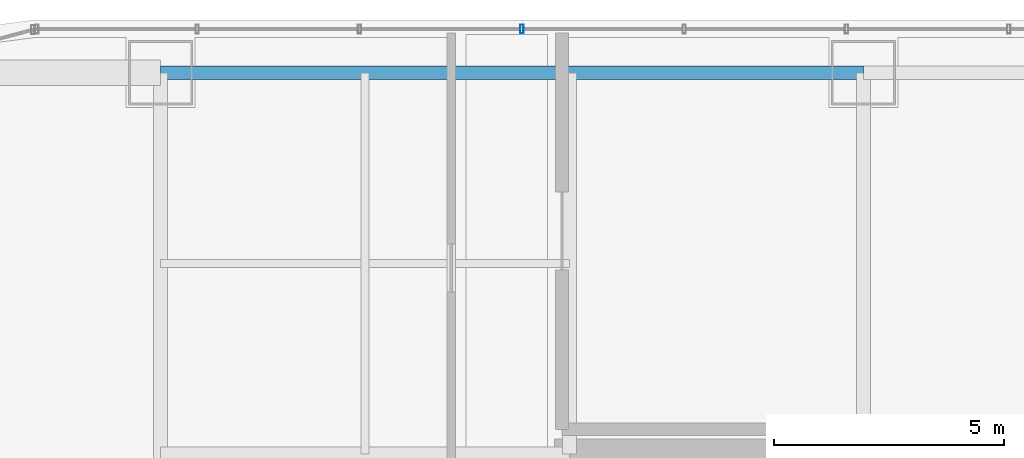
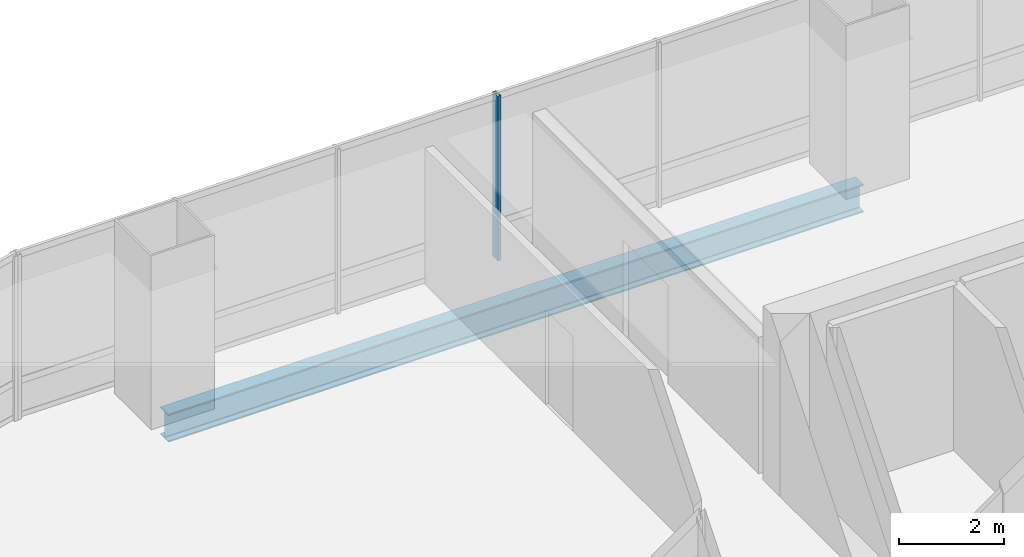
# One storey, part 21 of 36: 1 beam, 1 member, 1 element without a shape of its own.
"""IFC4 building model written with IfcOpenShell, lengths in metres."""

import ifcopenshell
import ifcopenshell.guid

model = None  # the IFC model being written
_history = None  # IfcOwnerHistory: only IFC2X3 demands one
_inside = {}  # id of a spatial element -> (the spatial element, [elements in it])
_under = {}  # id of a project, library or spatial element -> (it, [spatial elements below it])
_declared = {}  # id of a project -> (the project, [libraries it declares])
_typed = {}  # id of a type object -> (the type object, [elements of that type])
_made_of = {}  # id of a material, layer set ... -> (it, [elements and type objects made of it])


def new_model(schema):
    """Start an empty IFC model of exactly this schema.

    Asked for "IFC4X3", IfcOpenShell would pick the latest addendum, in which some entities
    have other attributes; the version numbers below select the first issue.
    IFC2X3 requires an IfcOwnerHistory on every rooted entity: one is made here for all.
    """
    global model, _history
    if schema == "IFC4X3":
        model = ifcopenshell.file(schema_version=(4, 3, 0, 0))
    else:
        model = ifcopenshell.file(schema=schema)
    _inside.clear()
    _under.clear()
    _declared.clear()
    _typed.clear()
    _made_of.clear()
    _history = None
    if model.schema == "IFC2X3":
        org = make("IfcOrganization", Name="unknown")
        user = make(
            "IfcPersonAndOrganization",
            ThePerson=make("IfcPerson", FamilyName="unknown"),
            TheOrganization=org,
        )
        app = make(
            "IfcApplication",
            ApplicationDeveloper=org,
            Version="unknown",
            ApplicationFullName="unknown",
            ApplicationIdentifier="unknown",
        )
        _history = make(
            "IfcOwnerHistory",
            OwningUser=user,
            OwningApplication=app,
            ChangeAction="ADDED",
            CreationDate=0,
        )
    return model


def make(cls, **values):
    """One entity of the class cls with the attributes given. An attribute that is None is left unset."""
    return model.create_entity(
        cls, **{name: value for name, value in values.items() if value is not None}
    )


def rooted(cls, **values):
    """An entity with a GlobalId (a new one), such as an element, a storey or a relation."""
    return make(cls, GlobalId=ifcopenshell.guid.new(), OwnerHistory=_history, **values)


def si_unit(unit_type, name, prefix=None):
    """IfcSIUnit, for example si_unit("LENGTHUNIT", "METRE", prefix="MILLI")."""
    return make("IfcSIUnit", UnitType=unit_type, Prefix=prefix, Name=name)


def assignment(units):
    """IfcUnitAssignment: the units of a project."""
    return None if units is None else make("IfcUnitAssignment", Units=units)


def point(xyz):
    """IfcCartesianPoint."""
    return None if xyz is None else make("IfcCartesianPoint", Coordinates=xyz)


def direction(xyz):
    """IfcDirection."""
    return None if xyz is None else make("IfcDirection", DirectionRatios=xyz)


def frame(location, z_axis=None, x_axis=None):
    """IfcAxis2Placement3D, a coordinate frame: its origin and axes. An axis left out is left unset."""
    return make(
        "IfcAxis2Placement3D",
        Location=point(location),
        Axis=direction(z_axis),
        RefDirection=direction(x_axis),
    )


def frame_2d(location, x_axis=None):
    """IfcAxis2Placement2D, a coordinate frame in the plane: its origin and x axis."""
    return make(
        "IfcAxis2Placement2D", Location=point(location), RefDirection=direction(x_axis)
    )


def origin():
    """The frame at (0, 0, 0) with its axes left unset."""
    return frame((0.0, 0.0, 0.0))


def origin_2d():
    """The frame at (0, 0) in the plane with its x axis left unset."""
    return frame_2d((0.0, 0.0))


def place(relative_to, where):
    """IfcLocalPlacement: puts the frame where relative to a parent placement (None: the world)."""
    return make(
        "IfcLocalPlacement", PlacementRelTo=relative_to, RelativePlacement=where
    )


def context(
    kind, dimensions, precision=None, world=None, true_north=None, identifier=None
):
    """IfcGeometricRepresentationContext, for example the 3D "Model" context."""
    return make(
        "IfcGeometricRepresentationContext",
        ContextIdentifier=identifier,
        ContextType=kind,
        CoordinateSpaceDimension=dimensions,
        Precision=precision,
        WorldCoordinateSystem=world,
        TrueNorth=true_north,
    )


def subcontext(parent, identifier, kind, view, scale=None):
    """IfcGeometricRepresentationSubContext, for example "Body" below "Model"."""
    return make(
        "IfcGeometricRepresentationSubContext",
        ContextIdentifier=identifier,
        ContextType=kind,
        ParentContext=parent,
        TargetScale=scale,
        TargetView=view,
    )


def project(units=None, contexts=None):
    """IfcProject with its units and contexts."""
    return rooted(
        "IfcProject",
        Name="project",
        RepresentationContexts=contexts,
        UnitsInContext=assignment(units),
    )


def spatial(cls, under=None, at=None, **own):
    """A site, building, storey or space (cls), placed at a placement, below another one or the project."""
    s = rooted(cls, ObjectPlacement=at, **own)
    if under is not None:
        _under.setdefault(under.id(), (under, []))[1].append(s)
    return s


def profile(cls, at=None, kind="AREA", **sizes):
    """A parametric profile (cls). Its sizes go by their IFC names, for example OverallWidth=200.0."""
    return make(cls, ProfileType=kind, Position=at, **sizes)


def hollow_rectangle(**sizes):
    """IfcRectangleHollowProfileDef."""
    return profile("IfcRectangleHollowProfileDef", **sizes)


def i_section(**sizes):
    """IfcIShapeProfileDef."""
    return profile("IfcIShapeProfileDef", **sizes)


def extrude(swept, where, along, depth):
    """IfcExtrudedAreaSolid: the profile swept, set in the frame where, extruded along a direction by depth."""
    return make(
        "IfcExtrudedAreaSolid",
        SweptArea=swept,
        Position=where,
        ExtrudedDirection=direction(along),
        Depth=depth,
    )


def shape(context_of_items, identifier, shape_type, items):
    """IfcShapeRepresentation: the items that make up one representation, for example the "Body"."""
    return make(
        "IfcShapeRepresentation",
        ContextOfItems=context_of_items,
        RepresentationIdentifier=identifier,
        RepresentationType=shape_type,
        Items=items,
    )


def material(Name=None, Category=None):
    """IfcMaterial."""
    return make("IfcMaterial", Name=Name, Category=Category)


def material_profile(
    of_material, cross_section, Name=None, Category=None, Priority=None
):
    """IfcMaterialProfile: a cross section and its material."""
    return make(
        "IfcMaterialProfile",
        Name=Name,
        Material=of_material,
        Profile=cross_section,
        Priority=Priority,
        Category=Category,
    )


def profile_set(profiles, Name=None, composite=None):
    """IfcMaterialProfileSet."""
    return make(
        "IfcMaterialProfileSet",
        Name=Name,
        MaterialProfiles=profiles,
        CompositeProfile=composite,
    )


def made_of(thing, what):
    """Note that an element or type object is made of a material, layer set ...; save() writes the relation."""
    if what is not None:
        _made_of.setdefault(what.id(), (what, []))[1].append(thing)
    return thing


def type_object(cls, material=None, **own):
    """A type object (cls), such as IfcWallType, which elements share."""
    return made_of(rooted(cls, **own), material)


def element(
    cls,
    number,
    at=None,
    inside=None,
    cuts=None,
    type_object=None,
    material=None,
    context=None,
    identifier="Body",
    shape_type=None,
    held_by="IfcProductDefinitionShape",
    body=None,
    shapes=None,
    **own,
):
    """One element of the class cls, such as IfcWall. Its Tag is "e" and its number.

    at: its placement. inside: the storey or other place that contains it. cuts: it is an
    opening in that element (IfcRelVoidsElement). A single representation is given by context,
    identifier, shape_type and body (its items); several are given by shapes. held_by: the class
    of the entity that holds the representations. save() writes the other relations.
    """
    e = rooted(cls, Tag="e%d" % number, ObjectPlacement=at, **own)
    if body is not None:
        shapes = [shape(context, identifier, shape_type, body)]
    if shapes is not None:
        e.Representation = make(held_by, Representations=shapes)
    if inside is not None:
        _inside.setdefault(inside.id(), (inside, []))[1].append(e)
    if cuts is not None:
        rooted(
            "IfcRelVoidsElement", RelatingBuildingElement=cuts, RelatedOpeningElement=e
        )
    if type_object is not None:
        _typed.setdefault(type_object.id(), (type_object, []))[1].append(e)
    return made_of(e, material)


def aggregate(whole, parts):
    """IfcRelAggregates: a whole, such as a stair, and the parts it consists of."""
    return rooted("IfcRelAggregates", RelatingObject=whole, RelatedObjects=parts)


def save(model, path):
    """Write the relations noted so far, then the file.

    IfcRelAggregates (storeys below a building ...), IfcRelContainedInSpatialStructure (elements
    in a storey), IfcRelDefinesByType, IfcRelAssociatesMaterial and IfcRelDeclares: one each for
    every whole, place, type object, material and project.
    """
    for whole, parts in _under.values():
        aggregate(whole, parts)
    for where, things in _inside.values():
        rooted(
            "IfcRelContainedInSpatialStructure",
            RelatedElements=things,
            RelatingStructure=where,
        )
    for kind, things in _typed.values():
        rooted("IfcRelDefinesByType", RelatedObjects=things, RelatingType=kind)
    for what, things in _made_of.values():
        rooted("IfcRelAssociatesMaterial", RelatedObjects=things, RelatingMaterial=what)
    for by, libraries in _declared.values():
        rooted("IfcRelDeclares", RelatingContext=by, RelatedDefinitions=libraries)
    model.write(path)


model = new_model("IFC4")

# Units and contexts
model_context = context("Model", 3, precision=1e-05, world=origin(), true_north=direction((0.0, 1.0)))
body_context = subcontext(model_context, "Body", "Model", "MODEL_VIEW")
ifc_project = project(units=[si_unit("LENGTHUNIT", "METRE"), si_unit("AREAUNIT", "SQUARE_METRE"), si_unit("VOLUMEUNIT", "CUBIC_METRE"), si_unit("PLANEANGLEUNIT", "RADIAN"), si_unit("MASSUNIT", "GRAM", prefix="KILO")], contexts=[model_context])

# Site, building, storey
site_placement = place(None, origin())
site = spatial("IfcSite", under=ifc_project, at=site_placement, CompositionType="ELEMENT")
building_placement = place(site_placement, origin())
building = spatial("IfcBuilding", under=site, at=building_placement, Name="Punatoya Terracotta Tower", CompositionType="ELEMENT")
storey_placement = place(building_placement, frame((0.0, 0.0, 196.5)))
storey = spatial("IfcBuildingStorey", under=building, at=storey_placement, Name="L46", CompositionType="ELEMENT", Elevation=196.5)

# Beam
ifc_material_1 = material(Name="Steel S355", Category="steel")
ifc_material_profile_1 = material_profile(ifc_material_1, i_section(OverallWidth=0.300048828125, OverallDepth=0.64990234375, WebThickness=0.01611328125, FlangeThickness=0.031005859375, FilletRadius=0.01806640625, at=origin_2d()))
ifc_profile_set_1 = profile_set([ifc_material_profile_1], Name="Steel S355")
beam_type = type_object("IfcBeamType", Name="BM-PRI-650", PredefinedType="BEAM", material=ifc_profile_set_1)
beam_placement = place(storey_placement, frame((-19.10009765625, 17.5, -0.544921875), z_axis=(1.0, 0.0, 0.0), x_axis=(0.0, 1.0, 0.0)))
element("IfcBeam", 1, at=beam_placement, inside=storey, type_object=beam_type, Name="BM-L46-RG-N1", PredefinedType="BEAM", context=body_context, shape_type="SweptSolid", body=[
    extrude(i_section(OverallWidth=0.300048828125, OverallDepth=0.64990234375, WebThickness=0.01611328125, FlangeThickness=0.031005859375, FilletRadius=0.01806640625, at=origin_2d()), origin(), (0.0, 0.0, 1.0), 15.300048828125),
])

# Curtain wall, member
ifc_material_2 = material(Name="Aluminium 6063-T6 + Double Low-E Glass", Category="aluminium")
curtain_wall_type = type_object("IfcCurtainWallType", Name="CW-M2", PredefinedType="NOTDEFINED", material=ifc_material_2)
curtain_wall_placement = place(storey_placement, origin())
curtain_wall = element("IfcCurtainWall", 2, at=curtain_wall_placement, inside=storey, type_object=curtain_wall_type, Name="L46 Curtain Wall CW-L46-N09-1", PredefinedType="NOTDEFINED")
ifc_material_3 = material(Name="Aluminium 6063-T6", Category="aluminium")
ifc_material_profile_2 = material_profile(ifc_material_3, hollow_rectangle(XDim=0.072021484375, YDim=0.195068359375, WallThickness=0.00439453125, at=origin_2d()))
ifc_profile_set_2 = profile_set([ifc_material_profile_2], Name="Aluminium 6063-T6")
member_type = type_object("IfcMemberType", Name="CW-MUL-M2", PredefinedType="MULLION", material=ifc_profile_set_2)
member_placement = place(storey_placement, frame((-11.235107421875, 18.449951171875, 0.0), z_axis=(0.0, 0.0, 1.0), x_axis=(1.0, 0.0, 0.0)))
member = element("IfcMember", 3, at=member_placement, type_object=member_type, Name="CW-L46-N09-1 Mullion 08", PredefinedType="MULLION", context=body_context, shape_type="SweptSolid", body=[
    extrude(hollow_rectangle(XDim=0.072021484375, YDim=0.195068359375, WallThickness=0.00439453125, at=origin_2d()), origin(), (0.0, 0.0, 1.0), 3.830078125),
])
aggregate(curtain_wall, [member])

save(model, "model.ifc")
